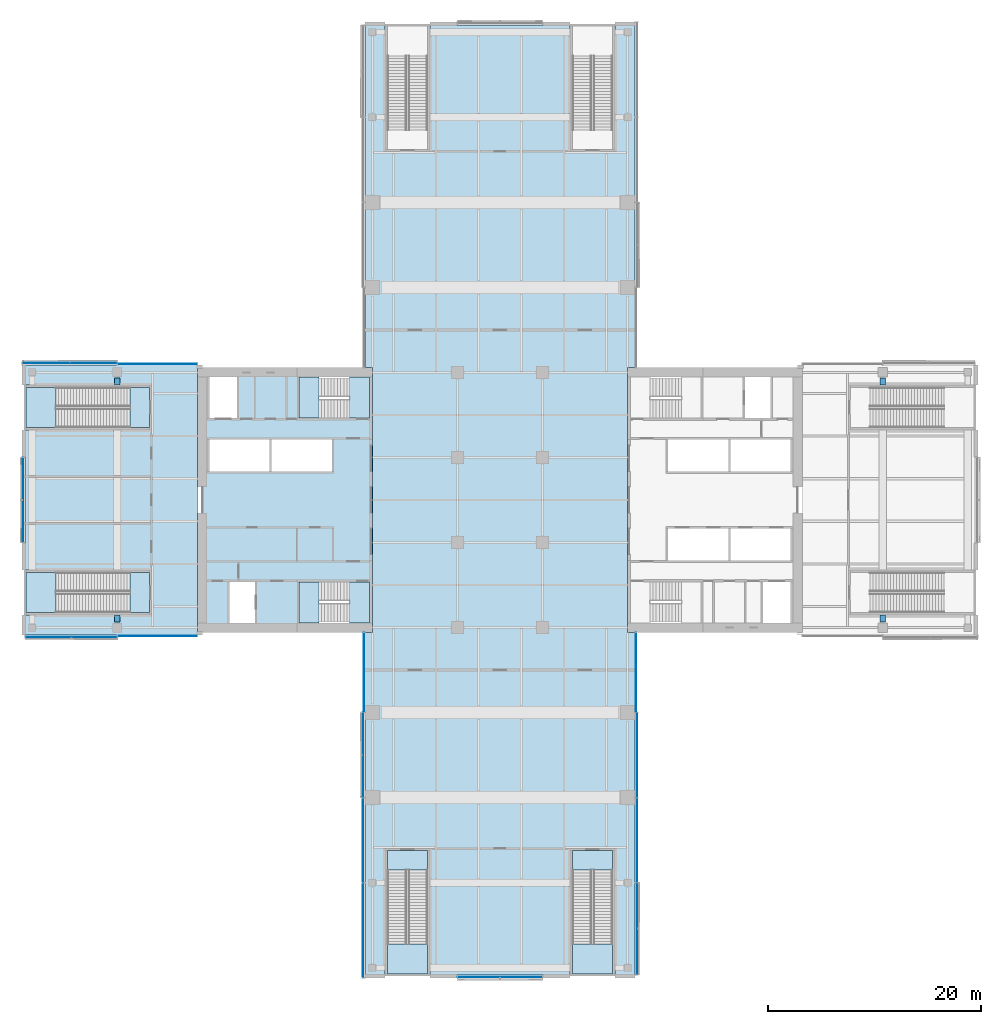
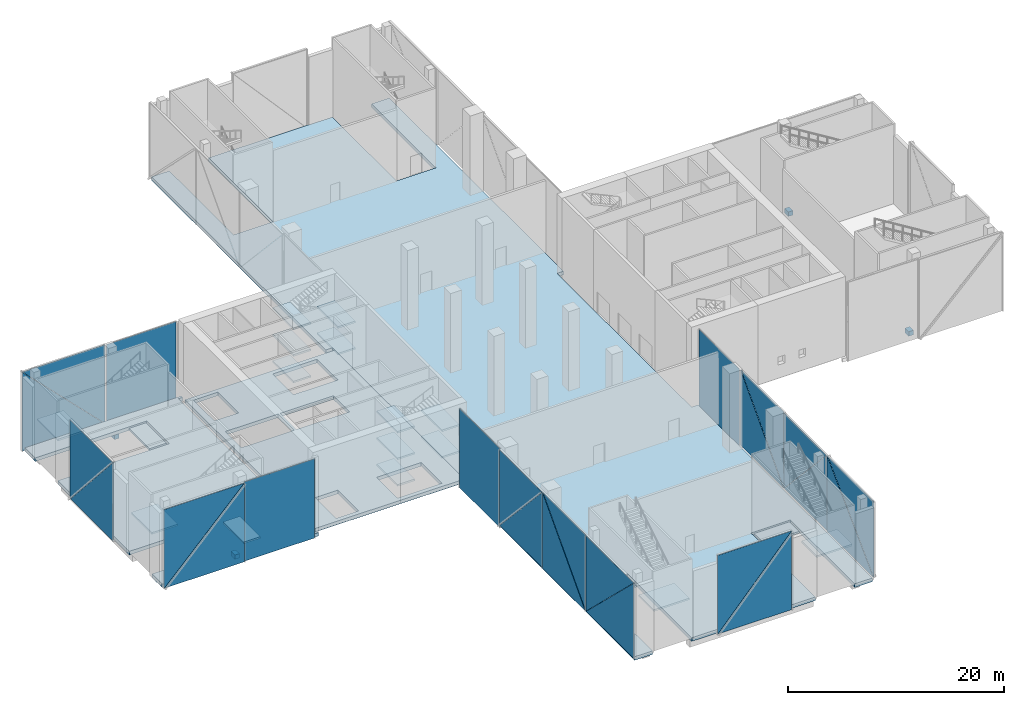
# One storey, part 12 of 26: 24 plates, 21 slabs, 4 beams, 16 elements without a shape of their own.
"""IFC4 building model written with IfcOpenShell, lengths in metres."""

from ifc_helpers import new_model, si_unit, direction, frame, origin, origin_2d, place, context, subcontext, project, spatial, polyline, rectangle, outline, extrude, material, layer, layer_set, material_profile, profile_set, type_object, element, aggregate, save


model = new_model("IFC4")

# Units and contexts
model_context = context("Model", 3, precision=1e-05, world=origin(), true_north=direction((0.0, 1.0)))
body_context = subcontext(model_context, "Body", "Model", "MODEL_VIEW")
ifc_project = project(units=[si_unit("LENGTHUNIT", "METRE"), si_unit("AREAUNIT", "SQUARE_METRE"), si_unit("VOLUMEUNIT", "CUBIC_METRE"), si_unit("PLANEANGLEUNIT", "RADIAN"), si_unit("MASSUNIT", "GRAM", prefix="KILO")], contexts=[model_context])

# Site, building, storey
site_placement = place(None, origin())
site = spatial("IfcSite", under=ifc_project, at=site_placement, CompositionType="ELEMENT")
building_placement = place(site_placement, origin())
building = spatial("IfcBuilding", under=site, at=building_placement, Name="Crosswind Convention Tower", CompositionType="ELEMENT")
storey_placement = place(building_placement, frame((0.0, 0.0, 25.0)))
storey = spatial("IfcBuildingStorey", under=building, at=storey_placement, Name="L03", CompositionType="ELEMENT", Elevation=25.0)

# Beams
ifc_material_1 = material(Name="Concrete C60/75", Category="concrete")
ifc_material_profile = material_profile(ifc_material_1, rectangle(XDim=0.5, YDim=0.5, at=origin_2d()), Name="RC 500X500")
ifc_profile_set = profile_set([ifc_material_profile], Name="Concrete C60/75")
beam_type = type_object("IfcBeamType", Name="Slab edge tie beam RC 500X500", PredefinedType="BEAM", material=ifc_profile_set)
for number, where, z_axis, x_axis, name in (
    (1, (89.0, 88.5, -0.64990234375), (0.0, 1.0, 0.0), (-1.0, 0.0, 0.0), "B42 L03 slab edge tie beam 3"),
    (2, (89.0, 110.800048828125, -0.64990234375), (0.0, 1.0, 0.0), (-1.0, 0.0, 0.0), "B42 L03 slab edge tie beam 4"),
    (3, (161.0, 88.5, -0.64990234375), (0.0, 1.0, 0.0), (-1.0, 0.0, 0.0), "B42 L03 slab edge tie beam 13"),
    (4, (161.0, 110.800048828125, -0.64990234375), (0.0, 1.0, 0.0), (-1.0, 0.0, 0.0), "B42 L03 slab edge tie beam 14"),
):
    element("IfcBeam", number, at=place(storey_placement, frame(where, z_axis=z_axis, x_axis=x_axis)), inside=storey, type_object=beam_type, Name=name, PredefinedType="BEAM", context=body_context, shape_type="SweptSolid", body=[
        extrude(rectangle(XDim=0.5, YDim=0.5, at=origin_2d()), origin(), (0.0, 0.0, 1.0), 0.699951171875),
    ])

# Slabs
ifc_material_2 = material(Name="Concrete C40/50", Category="concrete")
ifc_layer_1 = layer(ifc_material_2, 0.39990234375)
ifc_layer_set_1 = layer_set([ifc_layer_1], Name="Concrete C40/50")
slab_type_1 = type_object("IfcSlabType", Name="Composite floor slab 400", PredefinedType="FLOOR", material=ifc_layer_set_1)
slab_1_placement = place(storey_placement, frame((0.0, 0.0, -0.39990234375)))
element("IfcSlab", 5, at=slab_1_placement, inside=storey, type_object=slab_type_1, Name="Floor slab L03 part 1", PredefinedType="FLOOR", context=body_context, shape_type="SweptSolid", body=[
    extrude(outline(polyline([(97.0, 112.449951171875), (96.550048828125, 112.449951171875), (96.550048828125, 87.550048828125), (97.0, 87.550048828125), (97.0, 87.300048828125), (81.0, 87.300048828125), (80.300048828125, 87.300048828125), (80.300048828125, 88.0), (80.300048828125, 89.199951171875), (92.199951171875, 89.199951171875), (92.199951171875, 93.39990234375), (80.300048828125, 93.39990234375), (80.300048828125, 106.60009765625), (92.199951171875, 106.60009765625), (92.199951171875, 110.800048828125), (80.300048828125, 110.800048828125), (80.300048828125, 112.0), (80.300048828125, 112.699951171875), (81.0, 112.699951171875), (97.0, 112.699951171875), (97.0, 112.449951171875)])), origin(), (0.0, 0.0, 1.0), 0.39990234375),
])
slab_2_placement = place(storey_placement, frame((0.0, 0.0, -0.39990234375)))
element("IfcSlab", 6, at=slab_2_placement, inside=storey, type_object=slab_type_1, Name="Floor slab L03 part 2", PredefinedType="FLOOR", context=body_context, shape_type="SweptSolid", body=[
    extrude(outline(polyline([(114.199951171875, 132.800048828125), (118.39990234375, 132.800048828125), (118.39990234375, 144.699951171875), (131.60009765625, 144.699951171875), (131.60009765625, 132.800048828125), (135.800048828125, 132.800048828125), (135.800048828125, 144.699951171875), (137.0, 144.699951171875), (137.699951171875, 144.699951171875), (137.699951171875, 144.0), (137.699951171875, 112.449951171875), (137.0, 112.449951171875), (137.0, 87.550048828125), (137.699951171875, 87.550048828125), (137.699951171875, 56.0), (137.699951171875, 55.300048828125), (137.0, 55.300048828125), (135.800048828125, 55.300048828125), (135.800048828125, 67.199951171875), (131.60009765625, 67.199951171875), (131.60009765625, 55.300048828125), (118.39990234375, 55.300048828125), (118.39990234375, 67.199951171875), (114.199951171875, 67.199951171875), (114.199951171875, 55.300048828125), (113.0, 55.300048828125), (112.300048828125, 55.300048828125), (112.300048828125, 56.0), (112.300048828125, 87.550048828125), (113.0, 87.550048828125), (113.0, 112.449951171875), (112.300048828125, 112.449951171875), (112.300048828125, 144.0), (112.300048828125, 144.699951171875), (113.0, 144.699951171875), (114.199951171875, 144.699951171875), (114.199951171875, 132.800048828125)])), origin(), (0.0, 0.0, 1.0), 0.39990234375),
])
ifc_layer_2 = layer(ifc_material_2, 0.39990234375)
ifc_layer_set_2 = layer_set([ifc_layer_2], Name="Concrete C40/50")
slab_type_2 = type_object("IfcSlabType", Name="Concrete core floor slab 400", PredefinedType="FLOOR", material=ifc_layer_set_2)
slab_3_placement = place(storey_placement, frame((0.0, 0.0, -0.39990234375)))
element("IfcSlab", 7, at=slab_3_placement, inside=storey, type_object=slab_type_2, Name="Core floor slab W L03", PredefinedType="FLOOR", context=body_context, shape_type="SweptSolid", body=[
    extrude(outline(polyline([(97.0, 88.0), (113.0, 88.0), (113.0, 112.0), (97.0, 112.0), (97.0, 88.0)]), holes=[polyline([(109.199951171875, 102.699951171875), (109.199951171875, 105.699951171875), (103.5, 105.699951171875), (103.5, 102.699951171875), (109.199951171875, 102.699951171875)]), polyline([(103.300048828125, 102.699951171875), (103.300048828125, 105.699951171875), (97.64990234375, 105.699951171875), (97.64990234375, 102.699951171875), (103.300048828125, 102.699951171875)]), polyline([(101.949951171875, 88.449951171875), (101.949951171875, 92.300048828125), (99.550048828125, 92.300048828125), (99.550048828125, 88.449951171875), (101.949951171875, 88.449951171875)]), polyline([(100.25, 107.699951171875), (100.25, 111.550048828125), (97.64990234375, 111.550048828125), (97.64990234375, 107.699951171875), (100.25, 107.699951171875)]), polyline([(110.85009765625, 88.449951171875), (110.85009765625, 92.300048828125), (106.10009765625, 92.300048828125), (106.10009765625, 88.449951171875), (110.85009765625, 88.449951171875)]), polyline([(110.85009765625, 107.699951171875), (110.85009765625, 111.550048828125), (106.10009765625, 111.550048828125), (106.10009765625, 107.699951171875), (110.85009765625, 107.699951171875)])]), origin(), (0.0, 0.0, 1.0), 0.39990234375),
])

# Stair, slabs
stair_type_1 = type_object("IfcStairType", Name="PODIUM EXIT STAIR 9000 RISE", PredefinedType="HALF_TURN_STAIR", material=ifc_material_2)
stair_1_placement = place(storey_placement, origin())
stair_1 = element("IfcStair", 8, at=stair_1_placement, inside=storey, type_object=stair_type_1, Name="Exit stair S1 L03", ObjectType="ST12", PredefinedType="HALF_TURN_STAIR")
ifc_layer_3 = layer(ifc_material_2, 0.199951171875)
ifc_layer_set_3 = layer_set([ifc_layer_3], Name="Concrete C40/50")
slab_type_3 = type_object("IfcSlabType", Name="PODIUM STAIR LANDING 200 FOR 26 RISERS", PredefinedType="LANDING", material=ifc_layer_set_3)
slab_4_placement = place(storey_placement, frame((0.0, 0.0, 4.300048828125)))
slab_4 = element("IfcSlab", 9, at=slab_4_placement, type_object=slab_type_3, Name="ST12 landing 1", PredefinedType="LANDING", context=body_context, shape_type="SweptSolid", body=[
    extrude(outline(polyline([(114.39990234375, 58.199951171875), (114.39990234375, 55.39990234375), (118.199951171875, 55.39990234375), (118.199951171875, 58.199951171875), (114.39990234375, 58.199951171875)])), origin(), (0.0, 0.0, 1.0), 0.199951171875),
])
slab_5_placement = place(storey_placement, frame((0.0, 0.0, -0.199951171875)))
slab_5 = element("IfcSlab", 10, at=slab_5_placement, type_object=slab_type_3, Name="ST12 landing 2", PredefinedType="LANDING", context=body_context, shape_type="SweptSolid", body=[
    extrude(outline(polyline([(114.39990234375, 67.0), (114.39990234375, 65.199951171875), (118.199951171875, 65.199951171875), (118.199951171875, 67.0), (114.39990234375, 67.0)])), origin(), (0.0, 0.0, 1.0), 0.199951171875),
])
aggregate(stair_1, [slab_4, slab_5])

stair_2_placement = place(storey_placement, origin())
stair_2 = element("IfcStair", 11, at=stair_2_placement, inside=storey, type_object=stair_type_1, Name="Exit stair S2 L03", ObjectType="ST12", PredefinedType="HALF_TURN_STAIR")
slab_6_placement = place(storey_placement, frame((0.0, 0.0, 4.300048828125)))
slab_6 = element("IfcSlab", 12, at=slab_6_placement, type_object=slab_type_3, Name="ST12 landing 1", PredefinedType="LANDING", context=body_context, shape_type="SweptSolid", body=[
    extrude(outline(polyline([(131.800048828125, 58.199951171875), (131.800048828125, 55.39990234375), (135.60009765625, 55.39990234375), (135.60009765625, 58.199951171875), (131.800048828125, 58.199951171875)])), origin(), (0.0, 0.0, 1.0), 0.199951171875),
])
slab_7_placement = place(storey_placement, frame((0.0, 0.0, -0.199951171875)))
slab_7 = element("IfcSlab", 13, at=slab_7_placement, type_object=slab_type_3, Name="ST12 landing 2", PredefinedType="LANDING", context=body_context, shape_type="SweptSolid", body=[
    extrude(outline(polyline([(131.800048828125, 67.0), (131.800048828125, 65.199951171875), (135.60009765625, 65.199951171875), (135.60009765625, 67.0), (131.800048828125, 67.0)])), origin(), (0.0, 0.0, 1.0), 0.199951171875),
])
aggregate(stair_2, [slab_6, slab_7])

stair_3_placement = place(storey_placement, origin())
stair_3 = element("IfcStair", 14, at=stair_3_placement, inside=storey, type_object=stair_type_1, Name="Exit stair W1 L03", ObjectType="ST12", PredefinedType="HALF_TURN_STAIR")
slab_8_placement = place(storey_placement, frame((0.0, 0.0, 4.300048828125)))
slab_8 = element("IfcSlab", 15, at=slab_8_placement, type_object=slab_type_3, Name="ST12 landing 1", PredefinedType="LANDING", context=body_context, shape_type="SweptSolid", body=[
    extrude(outline(polyline([(83.199951171875, 93.199951171875), (80.39990234375, 93.199951171875), (80.39990234375, 89.39990234375), (83.199951171875, 89.39990234375), (83.199951171875, 93.199951171875)])), origin(), (0.0, 0.0, 1.0), 0.199951171875),
])
slab_9_placement = place(storey_placement, frame((0.0, 0.0, -0.199951171875)))
slab_9 = element("IfcSlab", 16, at=slab_9_placement, type_object=slab_type_3, Name="ST12 landing 2", PredefinedType="LANDING", context=body_context, shape_type="SweptSolid", body=[
    extrude(outline(polyline([(92.0, 93.199951171875), (90.199951171875, 93.199951171875), (90.199951171875, 89.39990234375), (92.0, 89.39990234375), (92.0, 93.199951171875)])), origin(), (0.0, 0.0, 1.0), 0.199951171875),
])
aggregate(stair_3, [slab_8, slab_9])

stair_4_placement = place(storey_placement, origin())
stair_4 = element("IfcStair", 17, at=stair_4_placement, inside=storey, type_object=stair_type_1, Name="Exit stair W2 L03", ObjectType="ST12", PredefinedType="HALF_TURN_STAIR")
slab_10_placement = place(storey_placement, frame((0.0, 0.0, 4.300048828125)))
slab_10 = element("IfcSlab", 18, at=slab_10_placement, type_object=slab_type_3, Name="ST12 landing 1", PredefinedType="LANDING", context=body_context, shape_type="SweptSolid", body=[
    extrude(outline(polyline([(83.199951171875, 110.60009765625), (80.39990234375, 110.60009765625), (80.39990234375, 106.800048828125), (83.199951171875, 106.800048828125), (83.199951171875, 110.60009765625)])), origin(), (0.0, 0.0, 1.0), 0.199951171875),
])
slab_11_placement = place(storey_placement, frame((0.0, 0.0, -0.199951171875)))
slab_11 = element("IfcSlab", 19, at=slab_11_placement, type_object=slab_type_3, Name="ST12 landing 2", PredefinedType="LANDING", context=body_context, shape_type="SweptSolid", body=[
    extrude(outline(polyline([(92.0, 110.60009765625), (90.199951171875, 110.60009765625), (90.199951171875, 106.800048828125), (92.0, 106.800048828125), (92.0, 110.60009765625)])), origin(), (0.0, 0.0, 1.0), 0.199951171875),
])
aggregate(stair_4, [slab_10, slab_11])

stair_type_2 = type_object("IfcStairType", Name="Exit stair 1800 wide, 6 flights of 11 risers", PredefinedType="HALF_TURN_STAIR", material=ifc_material_2)
stair_5_placement = place(storey_placement, origin())
stair_5 = element("IfcStair", 20, at=stair_5_placement, inside=storey, type_object=stair_type_2, Name="Exit stair ST3 L03", ObjectType="ST7", PredefinedType="HALF_TURN_STAIR")
ifc_layer_4 = layer(ifc_material_2, 0.199951171875)
ifc_layer_set_4 = layer_set([ifc_layer_4], Name="Concrete C40/50")
slab_type_4 = type_object("IfcSlabType", Name="Stair landing 200", PredefinedType="LANDING", material=ifc_layer_set_4)
slab_12_placement = place(storey_placement, frame((0.0, 0.0, 1.300048828125)))
slab_12 = element("IfcSlab", 21, at=slab_12_placement, type_object=slab_type_4, Name="ST3 landing 1", PredefinedType="LANDING", context=body_context, shape_type="SweptSolid", body=[
    extrude(outline(polyline([(107.949951171875, 88.449951171875), (107.949951171875, 92.300048828125), (106.10009765625, 92.300048828125), (106.10009765625, 88.449951171875), (107.949951171875, 88.449951171875)])), origin(), (0.0, 0.0, 1.0), 0.199951171875),
])
slab_13_placement = place(storey_placement, frame((0.0, 0.0, 2.800048828125)))
slab_13 = element("IfcSlab", 22, at=slab_13_placement, type_object=slab_type_4, Name="ST3 landing 2", PredefinedType="LANDING", context=body_context, shape_type="SweptSolid", body=[
    extrude(outline(polyline([(112.699951171875, 88.449951171875), (112.699951171875, 92.300048828125), (110.85009765625, 92.300048828125), (110.85009765625, 88.449951171875), (112.699951171875, 88.449951171875)])), origin(), (0.0, 0.0, 1.0), 0.199951171875),
])
slab_14_placement = place(storey_placement, frame((0.0, 0.0, 4.300048828125)))
slab_14 = element("IfcSlab", 23, at=slab_14_placement, type_object=slab_type_4, Name="ST3 landing 3", PredefinedType="LANDING", context=body_context, shape_type="SweptSolid", body=[
    extrude(outline(polyline([(107.949951171875, 88.449951171875), (107.949951171875, 92.300048828125), (106.10009765625, 92.300048828125), (106.10009765625, 88.449951171875), (107.949951171875, 88.449951171875)])), origin(), (0.0, 0.0, 1.0), 0.199951171875),
])
slab_15_placement = place(storey_placement, frame((0.0, 0.0, 5.800048828125)))
slab_15 = element("IfcSlab", 24, at=slab_15_placement, type_object=slab_type_4, Name="ST3 landing 4", PredefinedType="LANDING", context=body_context, shape_type="SweptSolid", body=[
    extrude(outline(polyline([(112.699951171875, 88.449951171875), (112.699951171875, 92.300048828125), (110.85009765625, 92.300048828125), (110.85009765625, 88.449951171875), (112.699951171875, 88.449951171875)])), origin(), (0.0, 0.0, 1.0), 0.199951171875),
])
slab_16_placement = place(storey_placement, frame((0.0, 0.0, 7.300048828125)))
slab_16 = element("IfcSlab", 25, at=slab_16_placement, type_object=slab_type_4, Name="ST3 landing 5", PredefinedType="LANDING", context=body_context, shape_type="SweptSolid", body=[
    extrude(outline(polyline([(107.949951171875, 88.449951171875), (107.949951171875, 92.300048828125), (106.10009765625, 92.300048828125), (106.10009765625, 88.449951171875), (107.949951171875, 88.449951171875)])), origin(), (0.0, 0.0, 1.0), 0.199951171875),
])
aggregate(stair_5, [slab_12, slab_13, slab_14, slab_15, slab_16])

stair_6_placement = place(storey_placement, origin())
stair_6 = element("IfcStair", 26, at=stair_6_placement, inside=storey, type_object=stair_type_2, Name="Exit stair ST4 L03", ObjectType="ST7", PredefinedType="HALF_TURN_STAIR")
slab_17_placement = place(storey_placement, frame((0.0, 0.0, 1.300048828125)))
slab_17 = element("IfcSlab", 27, at=slab_17_placement, type_object=slab_type_4, Name="ST4 landing 1", PredefinedType="LANDING", context=body_context, shape_type="SweptSolid", body=[
    extrude(outline(polyline([(107.949951171875, 107.699951171875), (107.949951171875, 111.550048828125), (106.10009765625, 111.550048828125), (106.10009765625, 107.699951171875), (107.949951171875, 107.699951171875)])), origin(), (0.0, 0.0, 1.0), 0.199951171875),
])
slab_18_placement = place(storey_placement, frame((0.0, 0.0, 2.800048828125)))
slab_18 = element("IfcSlab", 28, at=slab_18_placement, type_object=slab_type_4, Name="ST4 landing 2", PredefinedType="LANDING", context=body_context, shape_type="SweptSolid", body=[
    extrude(outline(polyline([(112.699951171875, 107.699951171875), (112.699951171875, 111.550048828125), (110.85009765625, 111.550048828125), (110.85009765625, 107.699951171875), (112.699951171875, 107.699951171875)])), origin(), (0.0, 0.0, 1.0), 0.199951171875),
])
slab_19_placement = place(storey_placement, frame((0.0, 0.0, 4.300048828125)))
slab_19 = element("IfcSlab", 29, at=slab_19_placement, type_object=slab_type_4, Name="ST4 landing 3", PredefinedType="LANDING", context=body_context, shape_type="SweptSolid", body=[
    extrude(outline(polyline([(107.949951171875, 107.699951171875), (107.949951171875, 111.550048828125), (106.10009765625, 111.550048828125), (106.10009765625, 107.699951171875), (107.949951171875, 107.699951171875)])), origin(), (0.0, 0.0, 1.0), 0.199951171875),
])
slab_20_placement = place(storey_placement, frame((0.0, 0.0, 5.800048828125)))
slab_20 = element("IfcSlab", 30, at=slab_20_placement, type_object=slab_type_4, Name="ST4 landing 4", PredefinedType="LANDING", context=body_context, shape_type="SweptSolid", body=[
    extrude(outline(polyline([(112.699951171875, 107.699951171875), (112.699951171875, 111.550048828125), (110.85009765625, 111.550048828125), (110.85009765625, 107.699951171875), (112.699951171875, 107.699951171875)])), origin(), (0.0, 0.0, 1.0), 0.199951171875),
])
slab_21_placement = place(storey_placement, frame((0.0, 0.0, 7.300048828125)))
slab_21 = element("IfcSlab", 31, at=slab_21_placement, type_object=slab_type_4, Name="ST4 landing 5", PredefinedType="LANDING", context=body_context, shape_type="SweptSolid", body=[
    extrude(outline(polyline([(107.949951171875, 107.699951171875), (107.949951171875, 111.550048828125), (106.10009765625, 111.550048828125), (106.10009765625, 107.699951171875), (107.949951171875, 107.699951171875)])), origin(), (0.0, 0.0, 1.0), 0.199951171875),
])
aggregate(stair_6, [slab_17, slab_18, slab_19, slab_20, slab_21])

# Curtain wall, plate
ifc_material_3 = material(Name="Aluminium unitised curtain wall", Category="aluminium")
curtain_wall_type_1 = type_object("IfcCurtainWallType", Name="CORE END SLOT WALL 160", PredefinedType="USERDEFINED", material=ifc_material_3)
curtain_wall_1_placement = place(storey_placement, origin())
curtain_wall_1 = element("IfcCurtainWall", 32, at=curtain_wall_1_placement, inside=storey, type_object=curtain_wall_type_1, Name="CW6 L03 W-N.2-1 slot", ObjectType="UNITISED", PredefinedType="USERDEFINED")
ifc_material_4 = material(Name="Laminated insulating glass unit", Category="glass")
ifc_layer_5 = layer(ifc_material_4, 0.02587890625)
ifc_layer_set_5 = layer_set([ifc_layer_5], Name="TRIANGULAR GLASS PANEL 26")
plate_type_1 = type_object("IfcPlateType", Name="TRIANGULAR GLASS PANEL 26", PredefinedType="CURTAIN_PANEL", material=ifc_layer_set_5)
plate_1_placement = place(storey_placement, frame((96.5, 112.807861328125, -0.39990234375), z_axis=(0.0, 0.999999916287, 0.00040917643), x_axis=(-1.0, 0.0, 0.0)))
plate_1 = element("IfcPlate", 33, at=plate_1_placement, type_object=plate_type_1, Name="CW6 panel 1.1", PredefinedType="CURTAIN_PANEL", context=body_context, shape_type="SweptSolid", body=[
    extrude(outline(polyline([(0.0, 0.0), (7.449951171875, 0.0), (7.449951171875, 8.949951921099451), (0.0, 8.949951921099451), (0.0, 0.0)])), origin(), (0.0, 0.0, -1.0), 0.02587890625),
])
aggregate(curtain_wall_1, [plate_1])

curtain_wall_2_placement = place(storey_placement, origin())
curtain_wall_2 = element("IfcCurtainWall", 34, at=curtain_wall_2_placement, inside=storey, type_object=curtain_wall_type_1, Name="CW6 L03 W-S.1-2 slot", ObjectType="UNITISED", PredefinedType="USERDEFINED")
plate_2_placement = place(storey_placement, frame((89.050048828125, 87.192138671875, -0.39990234375), z_axis=(0.0, -0.999999916287, 0.00040917643), x_axis=(1.0, 0.0, 0.0)))
plate_2 = element("IfcPlate", 35, at=plate_2_placement, type_object=plate_type_1, Name="CW6 panel 1.1", PredefinedType="CURTAIN_PANEL", context=body_context, shape_type="SweptSolid", body=[
    extrude(outline(polyline([(0.0, 0.0), (7.449951171875, 0.0), (7.449951171875, 8.949951921099451), (0.0, 8.949951921099451), (0.0, 0.0)])), origin(), (0.0, 0.0, -1.0), 0.02587890625),
])
aggregate(curtain_wall_2, [plate_2])

curtain_wall_3_placement = place(storey_placement, origin())
curtain_wall_3 = element("IfcCurtainWall", 36, at=curtain_wall_3_placement, inside=storey, type_object=curtain_wall_type_1, Name="CW6 L03 S-W.1-1 slot", ObjectType="UNITISED", PredefinedType="USERDEFINED")
plate_3_placement = place(storey_placement, frame((112.192138671875, 87.5, -0.39990234375), z_axis=(-0.999999916287, 0.0, 0.00040917643), x_axis=(0.0, -1.0, 0.0)))
plate_3 = element("IfcPlate", 37, at=plate_3_placement, type_object=plate_type_1, Name="CW6 panel 1.1", PredefinedType="CURTAIN_PANEL", context=body_context, shape_type="SweptSolid", body=[
    extrude(outline(polyline([(0.0, 0.0), (7.449951171875, 0.0), (7.449951171875, 8.949951921099451), (0.0, 8.949951921099451), (0.0, 0.0)])), origin(), (0.0, 0.0, -1.0), 0.02587890625),
])
aggregate(curtain_wall_3, [plate_3])

curtain_wall_4_placement = place(storey_placement, origin())
curtain_wall_4 = element("IfcCurtainWall", 38, at=curtain_wall_4_placement, inside=storey, type_object=curtain_wall_type_1, Name="CW6 L03 S-E.1-4 slot", ObjectType="UNITISED", PredefinedType="USERDEFINED")
plate_4_placement = place(storey_placement, frame((137.807861328125, 80.050048828125, -0.39990234375), z_axis=(0.999999916287, 0.0, 0.00040917643), x_axis=(0.0, 1.0, 0.0)))
plate_4 = element("IfcPlate", 39, at=plate_4_placement, type_object=plate_type_1, Name="CW6 panel 1.1", PredefinedType="CURTAIN_PANEL", context=body_context, shape_type="SweptSolid", body=[
    extrude(outline(polyline([(0.0, 0.0), (7.449951171875, 0.0), (7.449951171875, 8.949951921099451), (0.0, 8.949951921099451), (0.0, 0.0)])), origin(), (0.0, 0.0, -1.0), 0.02587890625),
])
aggregate(curtain_wall_4, [plate_4])

# Curtain wall, plates
curtain_wall_type_2 = type_object("IfcCurtainWallType", Name="PODIUM UNITISED WALL 300", PredefinedType="USERDEFINED", material=ifc_material_3)
curtain_wall_5_placement = place(storey_placement, origin())
curtain_wall_5 = element("IfcCurtainWall", 40, at=curtain_wall_5_placement, inside=storey, type_object=curtain_wall_type_2, Name="CW1 L03 W-N 2", ObjectType="UNITISED", PredefinedType="USERDEFINED")
ifc_layer_6 = layer(ifc_material_4, 0.035888671875)
ifc_layer_set_6 = layer_set([ifc_layer_6], Name="TRIANGULAR GLASS PANEL 36")
plate_type_2 = type_object("IfcPlateType", Name="TRIANGULAR GLASS PANEL 36", PredefinedType="CURTAIN_PANEL", material=ifc_layer_set_6)
plate_5_placement = place(storey_placement, frame((80.094970703125, 112.8876953125, -0.39990234375), z_axis=(0.0, 0.999999926351, 0.000383792943), x_axis=(0.0, -0.000383792943, 0.999999926351)))
plate_5 = element("IfcPlate", 41, at=plate_5_placement, type_object=plate_type_2, Name="CW1 panel 1.1", PredefinedType="CURTAIN_PANEL", context=body_context, shape_type="SweptSolid", body=[
    extrude(outline(polyline([(0.0, 0.0), (8.905762374646168, 0.0), (0.0, 8.850830078125), (0.0, 0.0)])), origin(), (0.0, 0.0, -1.0), 0.035888671875),
])
plate_6_placement = place(storey_placement, frame((88.9599609375, 112.922119140625, 8.52001953125), z_axis=(0.0, 0.999999915455, 0.00041120672), x_axis=(0.0, 0.00041120672, -0.999999915455)))
plate_6 = element("IfcPlate", 42, at=plate_6_placement, type_object=plate_type_2, Name="CW1 panel 1.2", PredefinedType="CURTAIN_PANEL", context=body_context, shape_type="SweptSolid", body=[
    extrude(outline(polyline([(0.0, 0.0), (8.905762471692025, 0.0), (0.0, 8.850830078125), (0.0, 0.0)])), origin(), (0.0, 0.0, -1.0), 0.035888671875),
])
aggregate(curtain_wall_5, [plate_5, plate_6])

curtain_wall_6_placement = place(storey_placement, origin())
curtain_wall_6 = element("IfcCurtainWall", 43, at=curtain_wall_6_placement, inside=storey, type_object=curtain_wall_type_2, Name="CW1 L03 W-TIP 1", ObjectType="UNITISED", PredefinedType="USERDEFINED")
plate_7_placement = place(storey_placement, frame((80.1123046875, 96.0400390625, -0.39990234375), z_axis=(-0.999999926335, 0.0, 0.000383835032), x_axis=(0.000383835032, 0.0, 0.999999926335)))
plate_7 = element("IfcPlate", 44, at=plate_7_placement, type_object=plate_type_2, Name="CW1 panel 1.1", PredefinedType="CURTAIN_PANEL", context=body_context, shape_type="SweptSolid", body=[
    extrude(outline(polyline([(0.0, 0.0), (8.904785812218098, 0.0), (0.0, 7.906494140625), (0.0, 0.0)])), origin(), (0.0, 0.0, -1.0), 0.035888671875),
])
plate_8_placement = place(storey_placement, frame((80.077880859375, 103.9599609375, 8.52001953125), z_axis=(-0.999999915441, 0.0, 0.000411240541), x_axis=(-0.000411240541, 0.0, -0.999999915441)))
plate_8 = element("IfcPlate", 45, at=plate_8_placement, type_object=plate_type_2, Name="CW1 panel 1.2", PredefinedType="CURTAIN_PANEL", context=body_context, shape_type="SweptSolid", body=[
    extrude(outline(polyline([(0.0, 0.0), (8.905030049878953, 0.0), (0.0, 7.906494140624999), (0.0, 0.0)])), origin(), (0.0, 0.0, -1.0), 0.035888671875),
])
aggregate(curtain_wall_6, [plate_7, plate_8])

curtain_wall_7_placement = place(storey_placement, origin())
curtain_wall_7 = element("IfcCurtainWall", 46, at=curtain_wall_7_placement, inside=storey, type_object=curtain_wall_type_2, Name="CW1 L03 W-S 1", ObjectType="UNITISED", PredefinedType="USERDEFINED")
plate_9_placement = place(storey_placement, frame((88.9599609375, 87.1123046875, -0.39990234375), z_axis=(0.0, -0.999999926347, 0.000383803464), x_axis=(0.0, 0.000383803464, 0.999999926347)))
plate_9 = element("IfcPlate", 47, at=plate_9_placement, type_object=plate_type_2, Name="CW1 panel 1.1", PredefinedType="CURTAIN_PANEL", context=body_context, shape_type="SweptSolid", body=[
    extrude(outline(polyline([(0.0, 0.0), (8.90551823403915, 0.0), (0.0, 8.566162109375002), (0.0, 0.0)])), origin(), (0.0, 0.0, -1.0), 0.035888671875),
])
plate_10_placement = place(storey_placement, frame((80.3798828125, 87.077880859375, 8.52001953125), z_axis=(0.0, -0.99999991545, 0.000411217993), x_axis=(0.0, -0.000411217993, -0.99999991545)))
plate_10 = element("IfcPlate", 48, at=plate_10_placement, type_object=plate_type_2, Name="CW1 panel 1.2", PredefinedType="CURTAIN_PANEL", context=body_context, shape_type="SweptSolid", body=[
    extrude(outline(polyline([(0.0, 0.0), (8.905518331087665, 0.0), (0.0, 8.566162109375), (0.0, 0.0)])), origin(), (0.0, 0.0, -1.0), 0.035888671875),
])
aggregate(curtain_wall_7, [plate_9, plate_10])

curtain_wall_8_placement = place(storey_placement, origin())
curtain_wall_8 = element("IfcCurtainWall", 49, at=curtain_wall_8_placement, inside=storey, type_object=curtain_wall_type_2, Name="CW1 L03 S-W 1", ObjectType="UNITISED", PredefinedType="USERDEFINED")
plate_11_placement = place(storey_placement, frame((112.1123046875, 72.0400390625, -0.044921875), z_axis=(-0.9999999201, 0.0, 0.000399748697), x_axis=(0.000399748697, 0.0, 0.9999999201)))
plate_11 = element("IfcPlate", 50, at=plate_11_placement, type_object=plate_type_2, Name="CW1 panel 1.1", PredefinedType="CURTAIN_PANEL", context=body_context, shape_type="SweptSolid", body=[
    extrude(outline(polyline([(0.0, 0.0), (8.550293651914306, 0.0), (0.0, 7.90625), (0.0, 0.0)])), origin(), (0.0, 0.0, -1.0), 0.035888671875),
])
plate_12_placement = place(storey_placement, frame((112.07763671875, 79.9599609375, 8.52001953125), z_axis=(-0.9999999201, 0.0, 0.000399748697), x_axis=(-0.000399748697, 0.0, -0.9999999201)))
plate_12 = element("IfcPlate", 51, at=plate_12_placement, type_object=plate_type_2, Name="CW1 panel 1.2", PredefinedType="CURTAIN_PANEL", context=body_context, shape_type="SweptSolid", body=[
    extrude(outline(polyline([(0.0, 0.0), (8.550293651914306, 0.0), (0.0, 7.90625), (0.0, 0.0)])), origin(), (0.0, 0.0, -1.0), 0.035888671875),
])
plate_13_placement = place(storey_placement, frame((112.11572265625, 64.0400390625, 8.52001953125), z_axis=(-0.9999999201, 0.0, 0.000399748697), x_axis=(0.0, 1.0, 0.0)))
plate_13 = element("IfcPlate", 52, at=plate_13_placement, type_object=plate_type_2, Name="CW1 panel 2.1", PredefinedType="CURTAIN_PANEL", context=body_context, shape_type="SweptSolid", body=[
    extrude(outline(polyline([(0.0, 0.0), (7.90625, 0.0), (0.0, 8.550293651914306), (0.0, 0.0)])), origin(), (0.0, 0.0, -1.0), 0.035888671875),
])
plate_14_placement = place(storey_placement, frame((112.07421875, 71.9599609375, -0.044921875), z_axis=(-0.9999999201, 0.0, 0.000399748697), x_axis=(0.0, -1.0, 0.0)))
plate_14 = element("IfcPlate", 53, at=plate_14_placement, type_object=plate_type_2, Name="CW1 panel 2.2", PredefinedType="CURTAIN_PANEL", context=body_context, shape_type="SweptSolid", body=[
    extrude(outline(polyline([(0.0, 0.0), (7.90625, 0.0), (0.0, 8.550293651914306), (0.0, 0.0)])), origin(), (0.0, 0.0, -1.0), 0.035888671875),
])
plate_15_placement = place(storey_placement, frame((112.1123046875, 55.094970703125, -0.044921875), z_axis=(-0.999999920114, 0.0, 0.000399714458), x_axis=(0.000399714458, 0.0, 0.999999920114)))
plate_15 = element("IfcPlate", 54, at=plate_15_placement, type_object=plate_type_2, Name="CW1 panel 3.1", PredefinedType="CURTAIN_PANEL", context=body_context, shape_type="SweptSolid", body=[
    extrude(outline(polyline([(0.0, 0.0), (8.551026073730792, 0.0), (0.0, 8.850585937500002), (0.0, 0.0)])), origin(), (0.0, 0.0, -1.0), 0.035888671875),
])
plate_16_placement = place(storey_placement, frame((112.07763671875, 63.9599609375, 8.52001953125), z_axis=(-0.999999920114, 0.0, 0.000399714458), x_axis=(-0.000399714458, 0.0, -0.999999920114)))
plate_16 = element("IfcPlate", 55, at=plate_16_placement, type_object=plate_type_2, Name="CW1 panel 3.2", PredefinedType="CURTAIN_PANEL", context=body_context, shape_type="SweptSolid", body=[
    extrude(outline(polyline([(0.0, 0.0), (8.551026073730792, 0.0), (0.0, 8.850585937500002), (0.0, 0.0)])), origin(), (0.0, 0.0, -1.0), 0.035888671875),
])
aggregate(curtain_wall_8, [plate_11, plate_12, plate_13, plate_14, plate_15, plate_16])

curtain_wall_9_placement = place(storey_placement, origin())
curtain_wall_9 = element("IfcCurtainWall", 56, at=curtain_wall_9_placement, inside=storey, type_object=curtain_wall_type_2, Name="CW1 L03 S-TIP 1", ObjectType="UNITISED", PredefinedType="USERDEFINED")
plate_17_placement = place(storey_placement, frame((128.9599609375, 55.1123046875, -0.39990234375), z_axis=(0.0, -0.999999926335, 0.000383835032), x_axis=(0.0, 0.000383835032, 0.999999926335)))
plate_17 = element("IfcPlate", 57, at=plate_17_placement, type_object=plate_type_2, Name="CW1 panel 1.1", PredefinedType="CURTAIN_PANEL", context=body_context, shape_type="SweptSolid", body=[
    extrude(outline(polyline([(0.0, 0.0), (8.904785812218098, 0.0), (0.0, 7.906494140625), (0.0, 0.0)])), origin(), (0.0, 0.0, -1.0), 0.035888671875),
])
plate_18_placement = place(storey_placement, frame((121.0400390625, 55.077880859375, 8.52001953125), z_axis=(0.0, -0.999999915441, 0.000411240541), x_axis=(0.0, -0.000411240541, -0.999999915441)))
plate_18 = element("IfcPlate", 58, at=plate_18_placement, type_object=plate_type_2, Name="CW1 panel 1.2", PredefinedType="CURTAIN_PANEL", context=body_context, shape_type="SweptSolid", body=[
    extrude(outline(polyline([(0.0, 0.0), (8.905030049878953, 0.0), (0.0, 7.906494140624999), (0.0, 0.0)])), origin(), (0.0, 0.0, -1.0), 0.035888671875),
])
aggregate(curtain_wall_9, [plate_17, plate_18])

curtain_wall_10_placement = place(storey_placement, origin())
curtain_wall_10 = element("IfcCurtainWall", 59, at=curtain_wall_10_placement, inside=storey, type_object=curtain_wall_type_2, Name="CW1 L03 S-E 1", ObjectType="UNITISED", PredefinedType="USERDEFINED")
plate_19_placement = place(storey_placement, frame((137.8876953125, 63.9599609375, -0.044921875), z_axis=(0.99999992011, 0.0, 0.00039972587), x_axis=(-0.00039972587, 0.0, 0.99999992011)))
plate_19 = element("IfcPlate", 60, at=plate_19_placement, type_object=plate_type_2, Name="CW1 panel 1.1", PredefinedType="CURTAIN_PANEL", context=body_context, shape_type="SweptSolid", body=[
    extrude(outline(polyline([(0.0, 0.0), (8.550781933125293, 0.0), (0.0, 8.565917968749998), (0.0, 0.0)])), origin(), (0.0, 0.0, -1.0), 0.035888671875),
])
plate_20_placement = place(storey_placement, frame((137.92236328125, 55.3798828125, 8.52001953125), z_axis=(0.99999992011, 0.0, 0.00039972587), x_axis=(0.00039972587, 0.0, -0.99999992011)))
plate_20 = element("IfcPlate", 61, at=plate_20_placement, type_object=plate_type_2, Name="CW1 panel 1.2", PredefinedType="CURTAIN_PANEL", context=body_context, shape_type="SweptSolid", body=[
    extrude(outline(polyline([(0.0, 0.0), (8.550781933125293, 0.0), (0.0, 8.565917968749998), (0.0, 0.0)])), origin(), (0.0, 0.0, -1.0), 0.035888671875),
])
plate_21_placement = place(storey_placement, frame((137.88427734375, 71.9599609375, 8.52001953125), z_axis=(0.9999999201, 0.0, 0.000399748697), x_axis=(0.0, -1.0, 0.0)))
plate_21 = element("IfcPlate", 62, at=plate_21_placement, type_object=plate_type_2, Name="CW1 panel 2.1", PredefinedType="CURTAIN_PANEL", context=body_context, shape_type="SweptSolid", body=[
    extrude(outline(polyline([(0.0, 0.0), (7.90625, 0.0), (0.0, 8.550293651914306), (0.0, 0.0)])), origin(), (0.0, 0.0, -1.0), 0.035888671875),
])
plate_22_placement = place(storey_placement, frame((137.92578125, 64.0400390625, -0.044921875), z_axis=(0.9999999201, 0.0, 0.000399748697), x_axis=(0.0, 1.0, 0.0)))
plate_22 = element("IfcPlate", 63, at=plate_22_placement, type_object=plate_type_2, Name="CW1 panel 2.2", PredefinedType="CURTAIN_PANEL", context=body_context, shape_type="SweptSolid", body=[
    extrude(outline(polyline([(0.0, 0.0), (7.90625, 0.0), (0.0, 8.550293651914306), (0.0, 0.0)])), origin(), (0.0, 0.0, -1.0), 0.035888671875),
])
plate_23_placement = place(storey_placement, frame((137.8876953125, 79.9599609375, -0.044921875), z_axis=(0.9999999201, 0.0, 0.000399748697), x_axis=(-0.000399748697, 0.0, 0.9999999201)))
plate_23 = element("IfcPlate", 64, at=plate_23_placement, type_object=plate_type_2, Name="CW1 panel 3.1", PredefinedType="CURTAIN_PANEL", context=body_context, shape_type="SweptSolid", body=[
    extrude(outline(polyline([(0.0, 0.0), (8.550293651914306, 0.0), (0.0, 7.90625), (0.0, 0.0)])), origin(), (0.0, 0.0, -1.0), 0.035888671875),
])
plate_24_placement = place(storey_placement, frame((137.92236328125, 72.0400390625, 8.52001953125), z_axis=(0.9999999201, 0.0, 0.000399748697), x_axis=(0.000399748697, 0.0, -0.9999999201)))
plate_24 = element("IfcPlate", 65, at=plate_24_placement, type_object=plate_type_2, Name="CW1 panel 3.2", PredefinedType="CURTAIN_PANEL", context=body_context, shape_type="SweptSolid", body=[
    extrude(outline(polyline([(0.0, 0.0), (8.550293651914306, 0.0), (0.0, 7.90625), (0.0, 0.0)])), origin(), (0.0, 0.0, -1.0), 0.035888671875),
])
aggregate(curtain_wall_10, [plate_19, plate_20, plate_21, plate_22, plate_23, plate_24])

save(model, "model.ifc")
